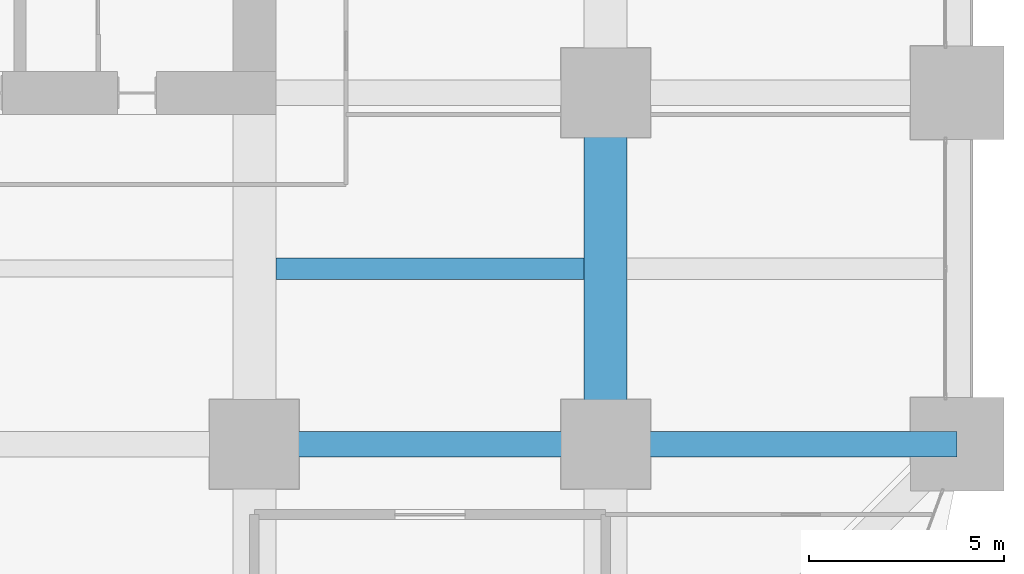
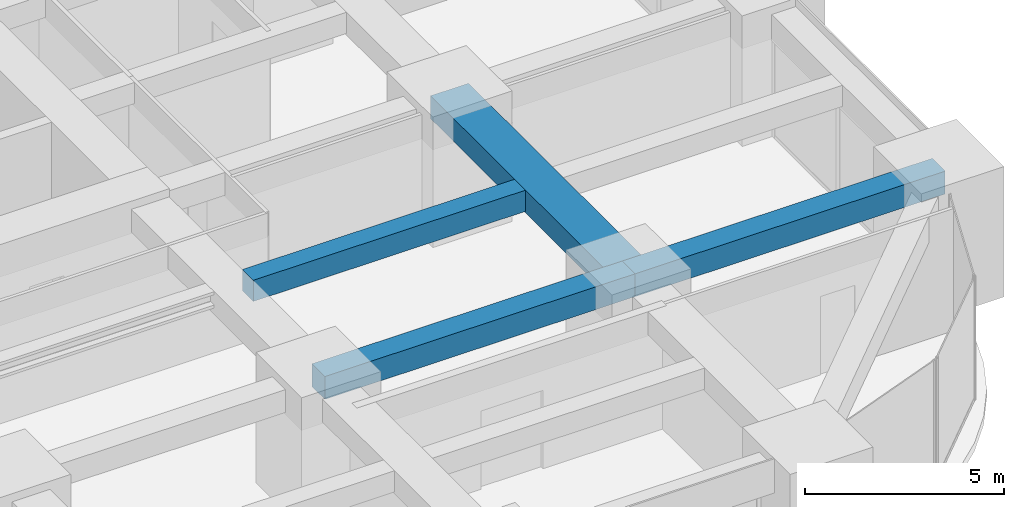
# One storey, part 17 of 44: 4 beams.
"""IFC4 building model written with IfcOpenShell, lengths in metres."""

from ifc_helpers import new_model, si_unit, direction, frame, origin, origin_2d, place, context, subcontext, project, spatial, rectangle, extrude, material, material_profile, profile_set, type_object, element, save


model = new_model("IFC4")

# Units and contexts
model_context = context("Model", 3, precision=1e-05, world=origin(), true_north=direction((0.0, 1.0)))
body_context = subcontext(model_context, "Body", "Model", "MODEL_VIEW")
ifc_project = project(units=[si_unit("LENGTHUNIT", "METRE"), si_unit("AREAUNIT", "SQUARE_METRE"), si_unit("VOLUMEUNIT", "CUBIC_METRE"), si_unit("PLANEANGLEUNIT", "RADIAN"), si_unit("MASSUNIT", "GRAM", prefix="KILO")], contexts=[model_context])

# Site, building, storey
site_placement = place(None, origin())
site = spatial("IfcSite", under=ifc_project, at=site_placement, CompositionType="ELEMENT")
building_placement = place(site_placement, origin())
building = spatial("IfcBuilding", under=site, at=building_placement, Name="Zorevar Civic Tower", CompositionType="ELEMENT")
storey_placement = place(building_placement, frame((0.0, 0.0, 31.800048828125)))
storey = spatial("IfcBuildingStorey", under=building, at=storey_placement, Name="L07", CompositionType="ELEMENT", Elevation=31.800048828125)

# Beams
ifc_material_1 = material(Name="Concrete C50/60", Category="concrete")
ifc_material_profile_1 = material_profile(ifc_material_1, rectangle(XDim=1.10009765625, YDim=0.699951171875, at=origin_2d()), Name="RC 1100x700")
ifc_profile_set_1 = profile_set([ifc_material_profile_1], Name="Concrete C50/60")
beam_type_1 = type_object("IfcBeamType", Name="Beam RC 1100x700", PredefinedType="BEAM", material=ifc_profile_set_1)
beam_1_placement = place(storey_placement, frame((54.0, 9.0, 3.39990234375), z_axis=(0.0, 1.0, 0.0), x_axis=(-1.0, 0.0, 0.0)))
element("IfcBeam", 1, at=beam_1_placement, inside=storey, type_object=beam_type_1, Name="Girder L08", PredefinedType="BEAM", context=body_context, shape_type="SweptSolid", body=[
    extrude(rectangle(XDim=1.10009765625, YDim=0.699951171875, at=origin_2d()), origin(), (0.0, 0.0, 1.0), 9.0),
])
ifc_material_2 = material(Name="Concrete C50/60", Category="concrete")
ifc_material_profile_2 = material_profile(ifc_material_2, rectangle(XDim=0.550048828125, YDim=0.64990234375, at=origin_2d()), Name="RC 550x650")
ifc_profile_set_2 = profile_set([ifc_material_profile_2], Name="Concrete C50/60")
beam_type_2 = type_object("IfcBeamType", Name="Beam RC 550x650", PredefinedType="BEAM", material=ifc_profile_set_2)
beam_2_placement = place(storey_placement, frame((45.550048828125, 13.5, 3.425048828125), z_axis=(1.0, 0.0, 0.0), x_axis=(0.0, 1.0, 0.0)))
element("IfcBeam", 2, at=beam_2_placement, inside=storey, type_object=beam_type_2, Name="Secondary beam L08", PredefinedType="BEAM", context=body_context, shape_type="SweptSolid", body=[
    extrude(rectangle(XDim=0.550048828125, YDim=0.64990234375, at=origin_2d()), origin(), (0.0, 0.0, 1.0), 7.89990234375),
])
ifc_material_3 = material(Name="Concrete C50/60", Category="concrete")
ifc_material_profile_3 = material_profile(ifc_material_3, rectangle(XDim=0.64990234375, YDim=0.699951171875, at=origin_2d()), Name="RC 650x700")
ifc_profile_set_3 = profile_set([ifc_material_profile_3], Name="Concrete C50/60")
beam_type_3 = type_object("IfcBeamType", Name="Beam RC 650x700", PredefinedType="BEAM", material=ifc_profile_set_3)
for number, where, z_axis, x_axis, name in (
    (3, (45.0, 9.0, 3.39990234375), (1.0, 0.0, 0.0), (0.0, 1.0, 0.0), "Girder L08"),
    (4, (54.0, 9.0, 3.39990234375), (1.0, 0.0, 0.0), (0.0, 1.0, 0.0), "Girder L08"),
):
    element("IfcBeam", number, at=place(storey_placement, frame(where, z_axis=z_axis, x_axis=x_axis)), inside=storey, type_object=beam_type_3, Name=name, PredefinedType="BEAM", context=body_context, shape_type="SweptSolid", body=[
        extrude(rectangle(XDim=0.64990234375, YDim=0.699951171875, at=origin_2d()), origin(), (0.0, 0.0, 1.0), 9.0),
    ])

save(model, "model.ifc")
